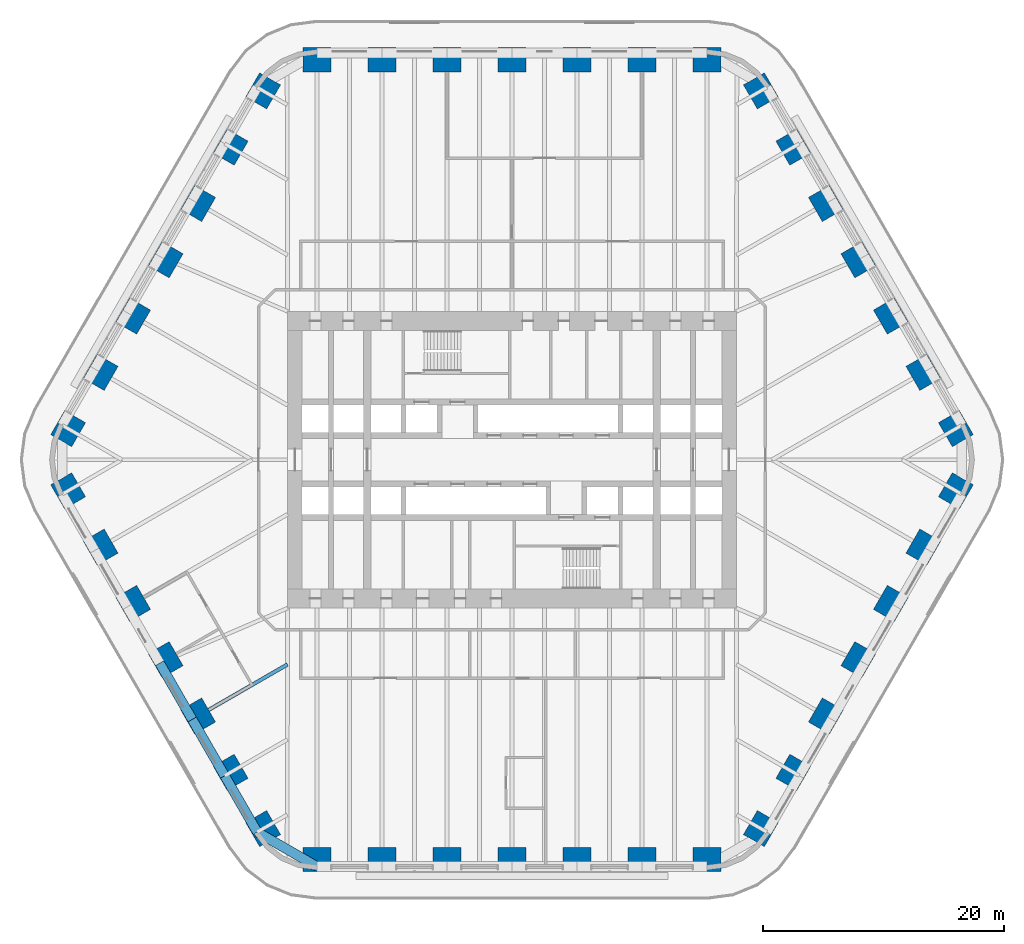
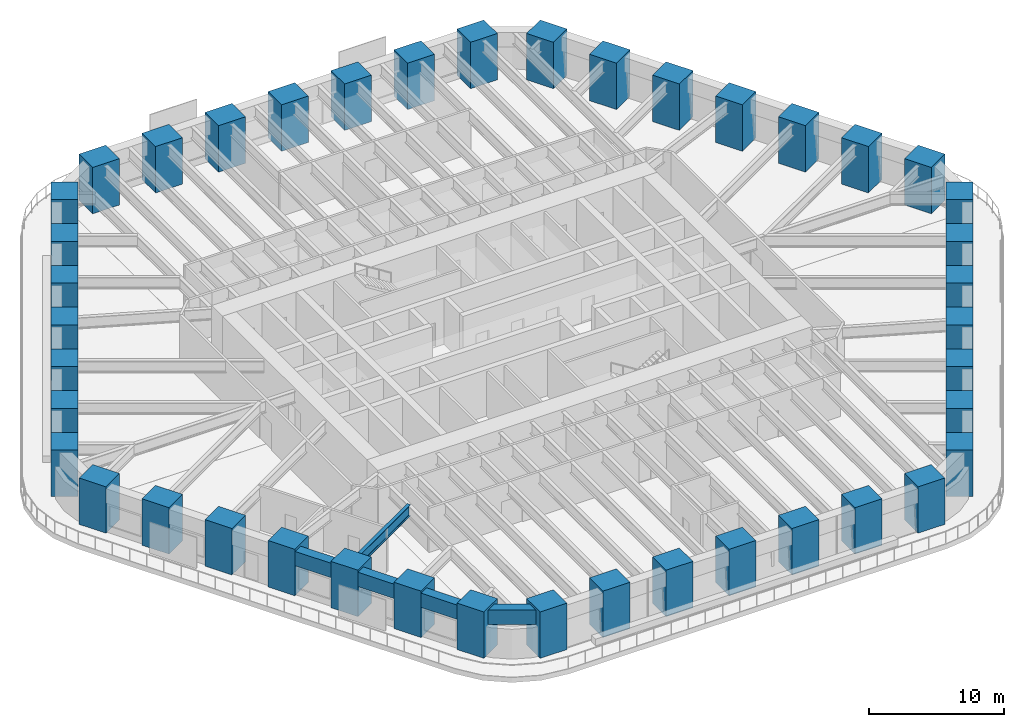
# One storey, part 1 of 23: 42 columns, 5 beams.
"""IFC4 building model written with IfcOpenShell, lengths in metres."""

from ifc_helpers import new_model, si_unit, direction, frame, origin, origin_2d, place, context, subcontext, project, spatial, rectangle, i_section, extrude, material, material_profile, profile_set, type_object, element, save


model = new_model("IFC4")

# Units and contexts
model_context = context("Model", 3, precision=1e-05, world=origin(), true_north=direction((0.0, 1.0)))
body_context = subcontext(model_context, "Body", "Model", "MODEL_VIEW")
ifc_project = project(units=[si_unit("LENGTHUNIT", "METRE"), si_unit("AREAUNIT", "SQUARE_METRE"), si_unit("VOLUMEUNIT", "CUBIC_METRE"), si_unit("PLANEANGLEUNIT", "RADIAN"), si_unit("MASSUNIT", "GRAM", prefix="KILO")], contexts=[model_context])

# Site, building, storey
site_placement = place(None, origin())
site = spatial("IfcSite", under=ifc_project, at=site_placement, CompositionType="ELEMENT")
building_placement = place(site_placement, origin())
building = spatial("IfcBuilding", under=site, at=building_placement, Name="Tarfa Lantern Tower", CompositionType="ELEMENT")
storey_placement = place(building_placement, frame((0.0, 0.0, 36.10009765625)))
storey = spatial("IfcBuildingStorey", under=building, at=storey_placement, Name="L07", CompositionType="ELEMENT", Elevation=36.10009765625)

# Columns
ifc_material_1 = material(Name="Concrete C80/95", Category="concrete")
ifc_material_profile_1 = material_profile(ifc_material_1, rectangle(XDim=2.300048828125, YDim=2.0, at=origin_2d()), Name="RC 2300x2000")
ifc_profile_set_1 = profile_set([ifc_material_profile_1], Name="Concrete C80/95")
column_type = type_object("IfcColumnType", Name="TC1 RC 2300x2000", PredefinedType="COLUMN", material=ifc_profile_set_1)
for number, where, z_axis, x_axis, name in (
    (1, (36.791748046875, 2.574951171875, 0.0), (0.0, 0.0, 1.0), (-0.5, 0.866025403784, 0.0), "Tube column NE0"),
    (2, (34.097412109375, 7.24169921875, 0.0), (0.0, 0.0, 1.0), (-0.5, 0.866025403784, 0.0), "Tube column NE1"),
    (3, (31.403076171875, 11.908447265625, 0.0), (0.0, 0.0, 1.0), (-0.5, 0.866025403784, 0.0), "Tube column NE2"),
    (4, (28.708740234375, 16.574951171875, 0.0), (0.0, 0.0, 1.0), (-0.5, 0.866025403784, 0.0), "Tube column NE3"),
    (5, (26.014404296875, 21.24169921875, 0.0), (0.0, 0.0, 1.0), (-0.5, 0.866025403784, 0.0), "Tube column NE4"),
    (6, (23.320068359375, 25.908447265625, 0.0), (0.0, 0.0, 1.0), (-0.5, 0.866025403784, 0.0), "Tube column NE5"),
    (7, (20.625732421875, 30.574951171875, 0.0), (0.0, 0.0, 1.0), (-0.5, 0.866025403784, 0.0), "Tube column NE6"),
    (8, (16.165771484375, 33.14990234375, 0.0), (0.0, 0.0, 1.0), (-1.0, 0.0, 0.0), "Tube column N0"),
    (9, (10.777099609375, 33.14990234375, 0.0), (0.0, 0.0, 1.0), (-1.0, 0.0, 0.0), "Tube column N1"),
    (10, (5.388671875, 33.14990234375, 0.0), (0.0, 0.0, 1.0), (-1.0, 0.0, 0.0), "Tube column N2"),
    (11, (0.0, 33.14990234375, 0.0), (0.0, 0.0, 1.0), (-1.0, 0.0, 0.0), "Tube column N3"),
    (12, (-5.388671875, 33.14990234375, 0.0), (0.0, 0.0, 1.0), (-1.0, 0.0, 0.0), "Tube column N4"),
    (13, (-10.777099609375, 33.14990234375, 0.0), (0.0, 0.0, 1.0), (-1.0, 0.0, 0.0), "Tube column N5"),
    (14, (-16.165771484375, 33.14990234375, 0.0), (0.0, 0.0, 1.0), (-1.0, 0.0, 0.0), "Tube column N6"),
    (15, (-20.625732421875, 30.574951171875, 0.0), (0.0, 0.0, 1.0), (-0.5, -0.866025403784, 0.0), "Tube column NW0"),
    (16, (-23.320068359375, 25.908447265625, 0.0), (0.0, 0.0, 1.0), (-0.5, -0.866025403784, 0.0), "Tube column NW1"),
    (17, (-26.014404296875, 21.24169921875, 0.0), (0.0, 0.0, 1.0), (-0.5, -0.866025403784, 0.0), "Tube column NW2"),
    (18, (-28.708740234375, 16.574951171875, 0.0), (0.0, 0.0, 1.0), (-0.5, -0.866025403784, 0.0), "Tube column NW3"),
    (19, (-31.403076171875, 11.908447265625, 0.0), (0.0, 0.0, 1.0), (-0.5, -0.866025403784, 0.0), "Tube column NW4"),
    (20, (-34.097412109375, 7.24169921875, 0.0), (0.0, 0.0, 1.0), (-0.5, -0.866025403784, 0.0), "Tube column NW5"),
    (21, (-36.791748046875, 2.574951171875, 0.0), (0.0, 0.0, 1.0), (-0.5, -0.866025403784, 0.0), "Tube column NW6"),
    (22, (-36.791748046875, -2.574951171875, 0.0), (0.0, 0.0, 1.0), (0.5, -0.866025403784, 0.0), "Tube column SW0"),
    (23, (-34.097412109375, -7.24169921875, 0.0), (0.0, 0.0, 1.0), (0.5, -0.866025403784, 0.0), "Tube column SW1"),
    (24, (-31.403076171875, -11.908447265625, 0.0), (0.0, 0.0, 1.0), (0.5, -0.866025403784, 0.0), "Tube column SW2"),
    (25, (-28.708740234375, -16.574951171875, 0.0), (0.0, 0.0, 1.0), (0.5, -0.866025403784, 0.0), "Tube column SW3"),
    (26, (-26.014404296875, -21.24169921875, 0.0), (0.0, 0.0, 1.0), (0.5, -0.866025403784, 0.0), "Tube column SW4"),
    (27, (-23.320068359375, -25.908447265625, 0.0), (0.0, 0.0, 1.0), (0.5, -0.866025403784, 0.0), "Tube column SW5"),
    (28, (-20.625732421875, -30.574951171875, 0.0), (0.0, 0.0, 1.0), (0.5, -0.866025403784, 0.0), "Tube column SW6"),
    (29, (-16.165771484375, -33.14990234375, 0.0), (0.0, 0.0, 1.0), (1.0, 0.0, 0.0), "Tube column S0"),
    (30, (-10.777099609375, -33.14990234375, 0.0), (0.0, 0.0, 1.0), (1.0, 0.0, 0.0), "Tube column S1"),
    (31, (-5.388671875, -33.14990234375, 0.0), (0.0, 0.0, 1.0), (1.0, 0.0, 0.0), "Tube column S2"),
    (32, (0.0, -33.14990234375, 0.0), (0.0, 0.0, 1.0), (1.0, 0.0, 0.0), "Tube column S3"),
    (33, (5.388671875, -33.14990234375, 0.0), (0.0, 0.0, 1.0), (1.0, 0.0, 0.0), "Tube column S4"),
    (34, (10.777099609375, -33.14990234375, 0.0), (0.0, 0.0, 1.0), (1.0, 0.0, 0.0), "Tube column S5"),
    (35, (16.165771484375, -33.14990234375, 0.0), (0.0, 0.0, 1.0), (1.0, 0.0, 0.0), "Tube column S6"),
    (36, (20.625732421875, -30.574951171875, 0.0), (0.0, 0.0, 1.0), (0.5, 0.866025403784, 0.0), "Tube column SE0"),
    (37, (23.320068359375, -25.908447265625, 0.0), (0.0, 0.0, 1.0), (0.5, 0.866025403784, 0.0), "Tube column SE1"),
    (38, (26.014404296875, -21.24169921875, 0.0), (0.0, 0.0, 1.0), (0.5, 0.866025403784, 0.0), "Tube column SE2"),
    (39, (28.708740234375, -16.574951171875, 0.0), (0.0, 0.0, 1.0), (0.5, 0.866025403784, 0.0), "Tube column SE3"),
    (40, (31.403076171875, -11.908447265625, 0.0), (0.0, 0.0, 1.0), (0.5, 0.866025403784, 0.0), "Tube column SE4"),
    (41, (34.097412109375, -7.24169921875, 0.0), (0.0, 0.0, 1.0), (0.5, 0.866025403784, 0.0), "Tube column SE5"),
    (42, (36.791748046875, -2.574951171875, 0.0), (0.0, 0.0, 1.0), (0.5, 0.866025403784, 0.0), "Tube column SE6"),
):
    element("IfcColumn", number, at=place(storey_placement, frame(where, z_axis=z_axis, x_axis=x_axis)), inside=storey, type_object=column_type, Name=name, PredefinedType="COLUMN", context=body_context, shape_type="SweptSolid", body=[
        extrude(rectangle(XDim=2.300048828125, YDim=2.0, at=origin_2d()), origin(), (0.0, 0.0, 1.0), 4.199951171875),
    ])

# Beams
ifc_material_profile_2 = material_profile(ifc_material_1, rectangle(XDim=0.800048828125, YDim=1.300048828125, at=origin_2d()), Name="RC 800x1300")
ifc_profile_set_2 = profile_set([ifc_material_profile_2], Name="Concrete C80/95")
beam_type_1 = type_object("IfcBeamType", Name="EB1 RC 800x1300", PredefinedType="SPANDREL", material=ifc_profile_set_2)
beam_1_placement = place(storey_placement, frame((-29.202392578125, -16.860107421875, 3.349853515625), z_axis=(0.500017906299, -0.866015065331, 0.0), x_axis=(0.866015065331, 0.500017906299, 0.0)))
element("IfcBeam", 43, at=beam_1_placement, inside=storey, type_object=beam_type_1, Name="Edge beam SW3", PredefinedType="SPANDREL", context=body_context, shape_type="SweptSolid", body=[
    extrude(rectangle(XDim=0.800048828125, YDim=1.300048828125, at=origin_2d()), origin(), (0.0, 0.0, 1.0), 5.388427734375),
])
for number, where, z_axis, x_axis, name in (
    (44, (-26.508056640625, -21.526611328125, 3.349853515625), (0.499998287579, -0.866026392449, 0.0), (0.866026392449, 0.499998287579, 0.0), "Edge beam SW4"),
    (45, (-23.813720703125, -26.193359375, 3.349853515625), (0.499998287579, -0.866026392449, 0.0), (0.866026392449, 0.499998287579, 0.0), "Edge beam SW5"),
):
    element("IfcBeam", number, at=place(storey_placement, frame(where, z_axis=z_axis, x_axis=x_axis)), inside=storey, type_object=beam_type_1, Name=name, PredefinedType="SPANDREL", context=body_context, shape_type="SweptSolid", body=[
        extrude(rectangle(XDim=0.800048828125, YDim=1.300048828125, at=origin_2d()), origin(), (0.0, 0.0, 1.0), 5.388671875),
    ])
beam_2_placement = place(storey_placement, frame((-21.119384765625, -30.860107421875, 3.349853515625), z_axis=(0.866033479681, -0.499986011877, 0.0), x_axis=(0.499986011877, 0.866033479681, 0.0)))
element("IfcBeam", 46, at=beam_2_placement, inside=storey, type_object=beam_type_1, Name="Edge beam SW6", PredefinedType="SPANDREL", context=body_context, shape_type="SweptSolid", body=[
    extrude(rectangle(XDim=0.800048828125, YDim=1.300048828125, at=origin_2d()), origin(), (0.0, 0.0, 1.0), 5.719970703125),
])
ifc_material_2 = material(Name="Steel S460M", Category="steel")
ifc_material_profile_3 = material_profile(ifc_material_2, i_section(OverallWidth=0.302001953125, OverallDepth=1.008056640625, WebThickness=0.02099609375, FlangeThickness=0.0400390625, FilletRadius=0.030029296875, at=origin_2d()), Name="UB1016x305x349")
ifc_profile_set_3 = profile_set([ifc_material_profile_3], Name="Steel S460M")
beam_type_2 = type_object("IfcBeamType", Name="UB1016x305x349", PredefinedType="BEAM", material=ifc_profile_set_3)
beam_3_placement = place(storey_placement, frame((-26.508056640625, -21.526611328125, 3.495849609375), z_axis=(0.866035355799, 0.49998276221, 0.0), x_axis=(-0.49998276221, 0.866035355799, 0.0)))
element("IfcBeam", 47, at=beam_3_placement, inside=storey, type_object=beam_type_2, Name="Floor beam SW4", PredefinedType="BEAM", context=body_context, shape_type="SweptSolid", body=[
    extrude(i_section(OverallWidth=0.302001953125, OverallDepth=1.008056640625, WebThickness=0.02099609375, FlangeThickness=0.0400390625, FilletRadius=0.030029296875, at=origin_2d()), origin(), (0.0, 0.0, 1.0), 9.119873046875),
])

save(model, "model.ifc")
